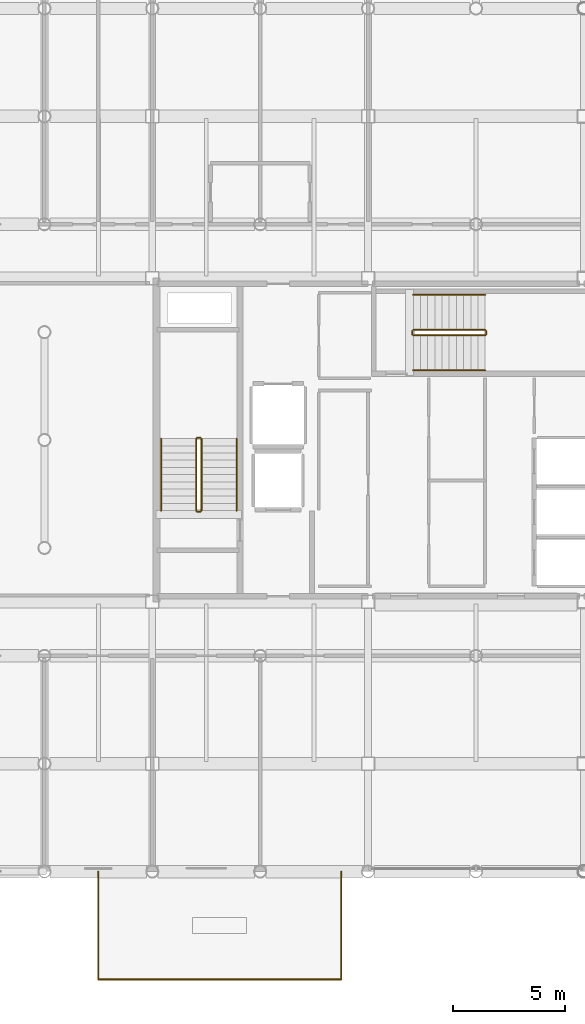
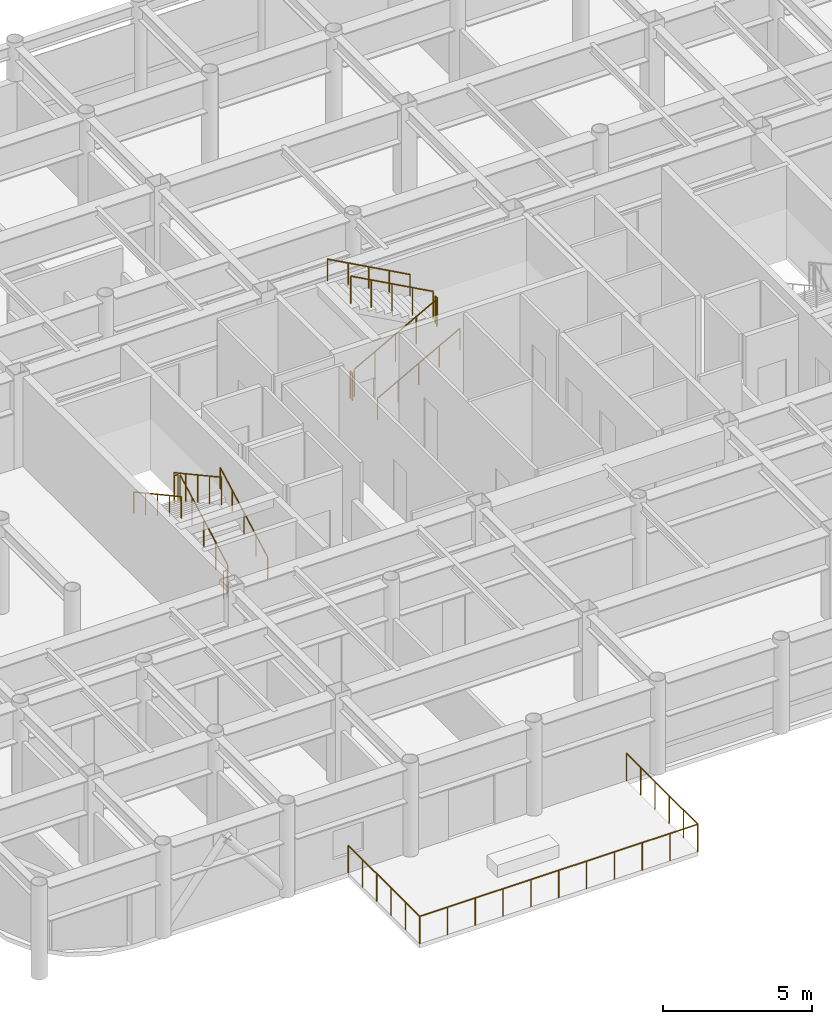
# One storey, part 25 of 26: 15 railings.
"""IFC4 building model written with IfcOpenShell, lengths in metres."""

from ifc_helpers import new_model, si_unit, direction, frame, origin, origin_2d, place, context, subcontext, project, spatial, circle, extrude, material, layer, layer_set, type_object, element, save


model = new_model("IFC4")

# Units and contexts
model_context = context("Model", 3, precision=1e-05, world=origin(), true_north=direction((0.0, 1.0)))
body_context = subcontext(model_context, "Body", "Model", "MODEL_VIEW")
ifc_project = project(units=[si_unit("LENGTHUNIT", "METRE"), si_unit("AREAUNIT", "SQUARE_METRE"), si_unit("VOLUMEUNIT", "CUBIC_METRE"), si_unit("PLANEANGLEUNIT", "RADIAN"), si_unit("MASSUNIT", "GRAM", prefix="KILO")], contexts=[model_context])

# Site, building, storey
site_placement = place(None, origin())
site = spatial("IfcSite", under=ifc_project, at=site_placement, CompositionType="ELEMENT")
building_placement = place(site_placement, origin())
building = spatial("IfcBuilding", under=site, at=building_placement, Name="Kallvorn Hotel Tower", CompositionType="ELEMENT")
storey_placement = place(building_placement, frame((0.0, 0.0, 222.300048828125)))
storey = spatial("IfcBuildingStorey", under=building, at=storey_placement, Name="L55", CompositionType="ELEMENT", Elevation=222.300048828125)

# Railings
ifc_material_1 = material(Name="Galvanised painted steel S275JR balustrade", Category="steel")
ifc_layer_1 = layer(ifc_material_1, 0.06005859375)
ifc_layer_set_1 = layer_set([ifc_layer_1], Name="RL_BALUSTRADE_1150")
railing_type_1 = type_object("IfcRailingType", Name="RL_BALUSTRADE_1150", PredefinedType="BALUSTRADE", material=ifc_layer_set_1)
railing_1_placement = place(storey_placement, frame((-16.800048828125, -19.199951171875, 0.0)))
element("IfcRailing", 1, at=railing_1_placement, inside=storey, type_object=railing_type_1, Name="L55 Exterior Safety Guardrail TER-L55-S-01", PredefinedType="BALUSTRADE", context=body_context, shape_type="SweptSolid", body=[
    extrude(circle(Radius=0.02392578125, at=origin_2d()), frame((0.0, 0.0, 1.1259765625), z_axis=(0.0, -1.0, 0.0), x_axis=(1.0, 0.0, 0.0)), (0.0, 0.0, 1.0), 4.800048828125),
    extrude(circle(Radius=0.02099609375, at=origin_2d()), origin(), (0.0, 0.0, 1.0), 1.101806640625),
    extrude(circle(Radius=0.02099609375, at=origin_2d()), frame((0.0, -0.9599609375, 0.0)), (0.0, 0.0, 1.0), 1.101806640625),
    extrude(circle(Radius=0.02099609375, at=origin_2d()), frame((0.0, -1.919921875, 0.0)), (0.0, 0.0, 1.0), 1.101806640625),
    extrude(circle(Radius=0.02099609375, at=origin_2d()), frame((0.0, -2.880126953125, 0.0)), (0.0, 0.0, 1.0), 1.101806640625),
    extrude(circle(Radius=0.02099609375, at=origin_2d()), frame((0.0, -3.840087890625, 0.0)), (0.0, 0.0, 1.0), 1.101806640625),
    extrude(circle(Radius=0.02099609375, at=origin_2d()), frame((0.0, -4.800048828125, 0.0)), (0.0, 0.0, 1.0), 1.101806640625),
])
railing_2_placement = place(storey_placement, frame((-16.800048828125, -24.0, 0.0)))
element("IfcRailing", 2, at=railing_2_placement, inside=storey, type_object=railing_type_1, Name="L55 Exterior Safety Guardrail TER-L55-S-02", PredefinedType="BALUSTRADE", context=body_context, shape_type="SweptSolid", body=[
    extrude(circle(Radius=0.02392578125, at=origin_2d()), frame((0.0, 0.0, 1.1259765625), z_axis=(1.0, 0.0, 0.0), x_axis=(0.0, 1.0, 0.0)), (0.0, 0.0, 1.0), 10.800048828125),
    extrude(circle(Radius=0.02099609375, at=origin_2d()), origin(), (0.0, 0.0, 1.0), 1.101806640625),
    extrude(circle(Radius=0.02099609375, at=origin_2d()), frame((1.080078125, 0.0, 0.0)), (0.0, 0.0, 1.0), 1.101806640625),
    extrude(circle(Radius=0.02099609375, at=origin_2d()), frame((2.159912109375, 0.0, 0.0)), (0.0, 0.0, 1.0), 1.101806640625),
    extrude(circle(Radius=0.02099609375, at=origin_2d()), frame((3.239990234375, 0.0, 0.0)), (0.0, 0.0, 1.0), 1.101806640625),
    extrude(circle(Radius=0.02099609375, at=origin_2d()), frame((4.320068359375, 0.0, 0.0)), (0.0, 0.0, 1.0), 1.101806640625),
    extrude(circle(Radius=0.02099609375, at=origin_2d()), frame((5.39990234375, 0.0, 0.0)), (0.0, 0.0, 1.0), 1.101806640625),
    extrude(circle(Radius=0.02099609375, at=origin_2d()), frame((6.47998046875, 0.0, 0.0)), (0.0, 0.0, 1.0), 1.101806640625),
    extrude(circle(Radius=0.02099609375, at=origin_2d()), frame((7.56005859375, 0.0, 0.0)), (0.0, 0.0, 1.0), 1.101806640625),
    extrude(circle(Radius=0.02099609375, at=origin_2d()), frame((8.64013671875, 0.0, 0.0)), (0.0, 0.0, 1.0), 1.101806640625),
    extrude(circle(Radius=0.02099609375, at=origin_2d()), frame((9.719970703125, 0.0, 0.0)), (0.0, 0.0, 1.0), 1.101806640625),
    extrude(circle(Radius=0.02099609375, at=origin_2d()), frame((10.800048828125, 0.0, 0.0)), (0.0, 0.0, 1.0), 1.101806640625),
])
railing_3_placement = place(storey_placement, frame((-6.0, -24.0, 0.0)))
element("IfcRailing", 3, at=railing_3_placement, inside=storey, type_object=railing_type_1, Name="L55 Exterior Safety Guardrail TER-L55-S-03", PredefinedType="BALUSTRADE", context=body_context, shape_type="SweptSolid", body=[
    extrude(circle(Radius=0.02392578125, at=origin_2d()), frame((0.0, 0.0, 1.1259765625), z_axis=(0.0, 1.0, 0.0), x_axis=(-1.0, 0.0, 0.0)), (0.0, 0.0, 1.0), 4.800048828125),
    extrude(circle(Radius=0.02099609375, at=origin_2d()), origin(), (0.0, 0.0, 1.0), 1.101806640625),
    extrude(circle(Radius=0.02099609375, at=origin_2d()), frame((0.0, 0.9599609375, 0.0)), (0.0, 0.0, 1.0), 1.101806640625),
    extrude(circle(Radius=0.02099609375, at=origin_2d()), frame((0.0, 1.919921875, 0.0)), (0.0, 0.0, 1.0), 1.101806640625),
    extrude(circle(Radius=0.02099609375, at=origin_2d()), frame((0.0, 2.880126953125, 0.0)), (0.0, 0.0, 1.0), 1.101806640625),
    extrude(circle(Radius=0.02099609375, at=origin_2d()), frame((0.0, 3.840087890625, 0.0)), (0.0, 0.0, 1.0), 1.101806640625),
    extrude(circle(Radius=0.02099609375, at=origin_2d()), frame((0.0, 4.800048828125, 0.0)), (0.0, 0.0, 1.0), 1.101806640625),
])
ifc_material_2 = material(Name="Brushed stainless-steel tubular railing", Category="steel")
ifc_layer_2 = layer(ifc_material_2, 0.050048828125)
ifc_layer_set_2 = layer_set([ifc_layer_2], Name="RL_STAIR_GUARD")
railing_type_2 = type_object("IfcRailingType", Name="RL_STAIR_GUARD", PredefinedType="GUARDRAIL", material=ifc_layer_set_2)
railing_4_placement = place(storey_placement, frame((-12.2099609375, -3.139892578125, 0.175048828125)))
element("IfcRailing", 4, at=railing_4_placement, inside=storey, type_object=railing_type_2, Name="L55 ST1 stair guard 1", PredefinedType="GUARDRAIL", context=body_context, shape_type="SweptSolid", body=[
    extrude(circle(Radius=0.02392578125, at=origin_2d()), frame((0.0, 0.0, 1.1259765625), z_axis=(0.0, 0.877368057402, 0.479817977833), x_axis=(-1.0, 0.0, 0.0)), (0.0, 0.0, 1.0), 3.647216796875),
    extrude(circle(Radius=0.02099609375, at=origin_2d()), origin(), (0.0, 0.0, 1.0), 1.101806640625),
    extrude(circle(Radius=0.02099609375, at=origin_2d()), frame((0.0, 0.800048828125, 0.4375)), (0.0, 0.0, 1.0), 1.101806640625),
    extrude(circle(Radius=0.02099609375, at=origin_2d()), frame((0.0, 1.60009765625, 0.875)), (0.0, 0.0, 1.0), 1.101806640625),
    extrude(circle(Radius=0.02099609375, at=origin_2d()), frame((0.0, 2.39990234375, 1.3125)), (0.0, 0.0, 1.0), 1.101806640625),
    extrude(circle(Radius=0.02099609375, at=origin_2d()), frame((0.0, 3.199951171875, 1.75)), (0.0, 0.0, 1.0), 1.101806640625),
])
railing_5_placement = place(storey_placement, frame((-12.260009765625, 0.110107421875, 1.925048828125)))
element("IfcRailing", 5, at=railing_5_placement, inside=storey, type_object=railing_type_2, Name="L55 ST1 stair guard 2", PredefinedType="GUARDRAIL", context=body_context, shape_type="SweptSolid", body=[
    extrude(circle(Radius=0.02392578125, at=origin_2d()), frame((0.0, 0.0, 1.1259765625), z_axis=(-1.0, 0.0, 0.0), x_axis=(0.0, -1.0, 0.0)), (0.0, 0.0, 1.0), 0.139892578125),
    extrude(circle(Radius=0.02099609375, at=origin_2d()), origin(), (0.0, 0.0, 1.0), 1.101806640625),
    extrude(circle(Radius=0.02099609375, at=origin_2d()), frame((-0.139892578125, 0.0, 0.0)), (0.0, 0.0, 1.0), 1.101806640625),
])
railing_6_placement = place(storey_placement, frame((-12.449951171875, 0.06005859375, 2.099853515625)))
element("IfcRailing", 6, at=railing_6_placement, inside=storey, type_object=railing_type_2, Name="L55 ST1 stair guard 3", PredefinedType="GUARDRAIL", context=body_context, shape_type="SweptSolid", body=[
    extrude(circle(Radius=0.02392578125, at=origin_2d()), frame((0.0, 0.0, 1.1259765625), z_axis=(0.0, -0.877368057402, 0.479817977833), x_axis=(1.0, 0.0, 0.0)), (0.0, 0.0, 1.0), 3.647216796875),
    extrude(circle(Radius=0.02099609375, at=origin_2d()), origin(), (0.0, 0.0, 1.0), 1.101806640625),
    extrude(circle(Radius=0.02099609375, at=origin_2d()), frame((0.0, -0.800048828125, 0.4375)), (0.0, 0.0, 1.0), 1.101806640625),
    extrude(circle(Radius=0.02099609375, at=origin_2d()), frame((0.0, -1.60009765625, 0.875)), (0.0, 0.0, 1.0), 1.101806640625),
    extrude(circle(Radius=0.02099609375, at=origin_2d()), frame((0.0, -2.39990234375, 1.3125)), (0.0, 0.0, 1.0), 1.101806640625),
    extrude(circle(Radius=0.02099609375, at=origin_2d()), frame((0.0, -3.199951171875, 1.75)), (0.0, 0.0, 1.0), 1.101806640625),
])
railing_7_placement = place(storey_placement, frame((-12.260009765625, -3.18994140625, 0.0)))
element("IfcRailing", 7, at=railing_7_placement, inside=storey, type_object=railing_type_2, Name="L55 ST1 stair guard 4", PredefinedType="GUARDRAIL", context=body_context, shape_type="SweptSolid", body=[
    extrude(circle(Radius=0.02392578125, at=origin_2d()), frame((0.0, 0.0, 1.1259765625), z_axis=(-1.0, 0.0, 0.0), x_axis=(0.0, -1.0, 0.0)), (0.0, 0.0, 1.0), 0.139892578125),
    extrude(circle(Radius=0.02099609375, at=origin_2d()), origin(), (0.0, 0.0, 1.0), 1.101806640625),
    extrude(circle(Radius=0.02099609375, at=origin_2d()), frame((-0.139892578125, 0.0, 0.0)), (0.0, 0.0, 1.0), 1.101806640625),
])
railing_8_placement = place(storey_placement, frame((-2.7900390625, 4.659912109375, 0.175048828125)))
element("IfcRailing", 8, at=railing_8_placement, inside=storey, type_object=railing_type_2, Name="L55 ST3 stair guard 1", PredefinedType="GUARDRAIL", context=body_context, shape_type="SweptSolid", body=[
    extrude(circle(Radius=0.02392578125, at=origin_2d()), frame((0.0, 0.0, 1.1259765625), z_axis=(0.877368057402, 0.0, 0.479817977833), x_axis=(0.0, 1.0, 0.0)), (0.0, 0.0, 1.0), 3.647216796875),
    extrude(circle(Radius=0.02099609375, at=origin_2d()), origin(), (0.0, 0.0, 1.0), 1.101806640625),
    extrude(circle(Radius=0.02099609375, at=origin_2d()), frame((0.800048828125, 0.0, 0.4375)), (0.0, 0.0, 1.0), 1.101806640625),
    extrude(circle(Radius=0.02099609375, at=origin_2d()), frame((1.60009765625, 0.0, 0.875)), (0.0, 0.0, 1.0), 1.101806640625),
    extrude(circle(Radius=0.02099609375, at=origin_2d()), frame((2.39990234375, 0.0, 1.3125)), (0.0, 0.0, 1.0), 1.101806640625),
    extrude(circle(Radius=0.02099609375, at=origin_2d()), frame((3.199951171875, 0.0, 1.75)), (0.0, 0.0, 1.0), 1.101806640625),
])
railing_9_placement = place(storey_placement, frame((0.4599609375, 4.7099609375, 1.925048828125)))
element("IfcRailing", 9, at=railing_9_placement, inside=storey, type_object=railing_type_2, Name="L55 ST3 stair guard 2", PredefinedType="GUARDRAIL", context=body_context, shape_type="SweptSolid", body=[
    extrude(circle(Radius=0.02392578125, at=origin_2d()), frame((0.0, 0.0, 1.1259765625), z_axis=(0.0, 1.0, 0.0), x_axis=(-1.0, 0.0, 0.0)), (0.0, 0.0, 1.0), 0.14013671875),
    extrude(circle(Radius=0.02099609375, at=origin_2d()), origin(), (0.0, 0.0, 1.0), 1.101806640625),
    extrude(circle(Radius=0.02099609375, at=origin_2d()), frame((0.0, 0.14013671875, 0.0)), (0.0, 0.0, 1.0), 1.101806640625),
])
railing_10_placement = place(storey_placement, frame((0.409912109375, 4.89990234375, 2.099853515625)))
element("IfcRailing", 10, at=railing_10_placement, inside=storey, type_object=railing_type_2, Name="L55 ST3 stair guard 3", PredefinedType="GUARDRAIL", context=body_context, shape_type="SweptSolid", body=[
    extrude(circle(Radius=0.02392578125, at=origin_2d()), frame((0.0, 0.0, 1.1259765625), z_axis=(-0.877368057402, 0.0, 0.479817977833), x_axis=(0.0, -1.0, 0.0)), (0.0, 0.0, 1.0), 3.647216796875),
    extrude(circle(Radius=0.02099609375, at=origin_2d()), origin(), (0.0, 0.0, 1.0), 1.101806640625),
    extrude(circle(Radius=0.02099609375, at=origin_2d()), frame((-0.800048828125, 0.0, 0.4375)), (0.0, 0.0, 1.0), 1.101806640625),
    extrude(circle(Radius=0.02099609375, at=origin_2d()), frame((-1.60009765625, 0.0, 0.875)), (0.0, 0.0, 1.0), 1.101806640625),
    extrude(circle(Radius=0.02099609375, at=origin_2d()), frame((-2.39990234375, 0.0, 1.3125)), (0.0, 0.0, 1.0), 1.101806640625),
    extrude(circle(Radius=0.02099609375, at=origin_2d()), frame((-3.199951171875, 0.0, 1.75)), (0.0, 0.0, 1.0), 1.101806640625),
])
railing_11_placement = place(storey_placement, frame((-2.840087890625, 4.7099609375, 0.0)))
element("IfcRailing", 11, at=railing_11_placement, inside=storey, type_object=railing_type_2, Name="L55 ST3 stair guard 4", PredefinedType="GUARDRAIL", context=body_context, shape_type="SweptSolid", body=[
    extrude(circle(Radius=0.02392578125, at=origin_2d()), frame((0.0, 0.0, 1.1259765625), z_axis=(0.0, 1.0, 0.0), x_axis=(-1.0, 0.0, 0.0)), (0.0, 0.0, 1.0), 0.14013671875),
    extrude(circle(Radius=0.02099609375, at=origin_2d()), origin(), (0.0, 0.0, 1.0), 1.101806640625),
    extrude(circle(Radius=0.02099609375, at=origin_2d()), frame((0.0, 0.14013671875, 0.0)), (0.0, 0.0, 1.0), 1.101806640625),
])
ifc_material_3 = material(Name="Brushed stainless-steel tubular railing", Category="steel")
ifc_layer_3 = layer(ifc_material_3, 0.050048828125)
ifc_layer_set_3 = layer_set([ifc_layer_3], Name="RL_STAIR_HAND")
railing_type_3 = type_object("IfcRailingType", Name="RL_STAIR_HAND", PredefinedType="HANDRAIL", material=ifc_layer_set_3)
railing_12_placement = place(storey_placement, frame((-10.64990234375, -3.139892578125, 0.175048828125)))
element("IfcRailing", 12, at=railing_12_placement, inside=storey, type_object=railing_type_3, Name="L55 ST1 stair handrail 1", PredefinedType="HANDRAIL", context=body_context, shape_type="SweptSolid", body=[
    extrude(circle(Radius=0.02392578125, at=origin_2d()), frame((0.0, 0.0, 0.8759765625), z_axis=(0.0, 0.877368057402, 0.479817977833), x_axis=(-1.0, 0.0, 0.0)), (0.0, 0.0, 1.0), 3.647216796875),
    extrude(circle(Radius=0.02099609375, at=origin_2d()), origin(), (0.0, 0.0, 1.0), 0.851806640625),
    extrude(circle(Radius=0.02099609375, at=origin_2d()), frame((0.0, 0.800048828125, 0.4375)), (0.0, 0.0, 1.0), 0.851806640625),
    extrude(circle(Radius=0.02099609375, at=origin_2d()), frame((0.0, 1.60009765625, 0.875)), (0.0, 0.0, 1.0), 0.851806640625),
    extrude(circle(Radius=0.02099609375, at=origin_2d()), frame((0.0, 2.39990234375, 1.3125)), (0.0, 0.0, 1.0), 0.851806640625),
    extrude(circle(Radius=0.02099609375, at=origin_2d()), frame((0.0, 3.199951171875, 1.75)), (0.0, 0.0, 1.0), 0.851806640625),
])
railing_13_placement = place(storey_placement, frame((-14.010009765625, 0.06005859375, 2.099853515625)))
element("IfcRailing", 13, at=railing_13_placement, inside=storey, type_object=railing_type_3, Name="L55 ST1 stair handrail 2", PredefinedType="HANDRAIL", context=body_context, shape_type="SweptSolid", body=[
    extrude(circle(Radius=0.02392578125, at=origin_2d()), frame((0.0, 0.0, 0.8759765625), z_axis=(0.0, -0.877368057402, 0.479817977833), x_axis=(1.0, 0.0, 0.0)), (0.0, 0.0, 1.0), 3.647216796875),
    extrude(circle(Radius=0.02099609375, at=origin_2d()), origin(), (0.0, 0.0, 1.0), 0.851806640625),
    extrude(circle(Radius=0.02099609375, at=origin_2d()), frame((0.0, -0.800048828125, 0.4375)), (0.0, 0.0, 1.0), 0.851806640625),
    extrude(circle(Radius=0.02099609375, at=origin_2d()), frame((0.0, -1.60009765625, 0.875)), (0.0, 0.0, 1.0), 0.851806640625),
    extrude(circle(Radius=0.02099609375, at=origin_2d()), frame((0.0, -2.39990234375, 1.3125)), (0.0, 0.0, 1.0), 0.851806640625),
    extrude(circle(Radius=0.02099609375, at=origin_2d()), frame((0.0, -3.199951171875, 1.75)), (0.0, 0.0, 1.0), 0.851806640625),
])
railing_14_placement = place(storey_placement, frame((-2.7900390625, 3.10009765625, 0.175048828125)))
element("IfcRailing", 14, at=railing_14_placement, inside=storey, type_object=railing_type_3, Name="L55 ST3 stair handrail 1", PredefinedType="HANDRAIL", context=body_context, shape_type="SweptSolid", body=[
    extrude(circle(Radius=0.02392578125, at=origin_2d()), frame((0.0, 0.0, 0.8759765625), z_axis=(0.877368057402, 0.0, 0.479817977833), x_axis=(0.0, 1.0, 0.0)), (0.0, 0.0, 1.0), 3.647216796875),
    extrude(circle(Radius=0.02099609375, at=origin_2d()), origin(), (0.0, 0.0, 1.0), 0.851806640625),
    extrude(circle(Radius=0.02099609375, at=origin_2d()), frame((0.800048828125, 0.0, 0.4375)), (0.0, 0.0, 1.0), 0.851806640625),
    extrude(circle(Radius=0.02099609375, at=origin_2d()), frame((1.60009765625, 0.0, 0.875)), (0.0, 0.0, 1.0), 0.851806640625),
    extrude(circle(Radius=0.02099609375, at=origin_2d()), frame((2.39990234375, 0.0, 1.3125)), (0.0, 0.0, 1.0), 0.851806640625),
    extrude(circle(Radius=0.02099609375, at=origin_2d()), frame((3.199951171875, 0.0, 1.75)), (0.0, 0.0, 1.0), 0.851806640625),
])
railing_15_placement = place(storey_placement, frame((0.409912109375, 6.4599609375, 2.099853515625)))
element("IfcRailing", 15, at=railing_15_placement, inside=storey, type_object=railing_type_3, Name="L55 ST3 stair handrail 2", PredefinedType="HANDRAIL", context=body_context, shape_type="SweptSolid", body=[
    extrude(circle(Radius=0.02392578125, at=origin_2d()), frame((0.0, 0.0, 0.8759765625), z_axis=(-0.877368057402, 0.0, 0.479817977833), x_axis=(0.0, -1.0, 0.0)), (0.0, 0.0, 1.0), 3.647216796875),
    extrude(circle(Radius=0.02099609375, at=origin_2d()), origin(), (0.0, 0.0, 1.0), 0.851806640625),
    extrude(circle(Radius=0.02099609375, at=origin_2d()), frame((-0.800048828125, 0.0, 0.4375)), (0.0, 0.0, 1.0), 0.851806640625),
    extrude(circle(Radius=0.02099609375, at=origin_2d()), frame((-1.60009765625, 0.0, 0.875)), (0.0, 0.0, 1.0), 0.851806640625),
    extrude(circle(Radius=0.02099609375, at=origin_2d()), frame((-2.39990234375, 0.0, 1.3125)), (0.0, 0.0, 1.0), 0.851806640625),
    extrude(circle(Radius=0.02099609375, at=origin_2d()), frame((-3.199951171875, 0.0, 1.75)), (0.0, 0.0, 1.0), 0.851806640625),
])

save(model, "model.ifc")
